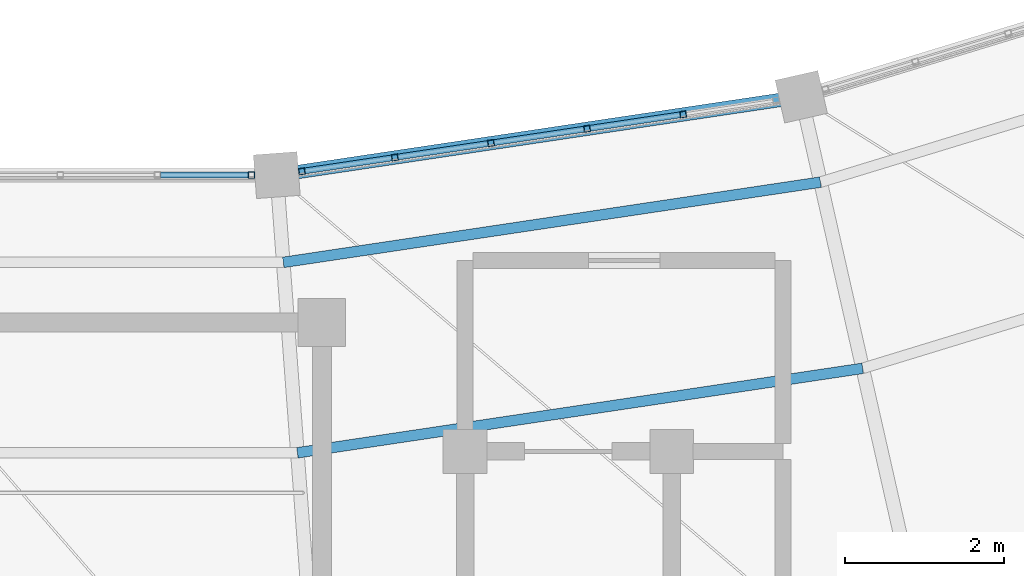
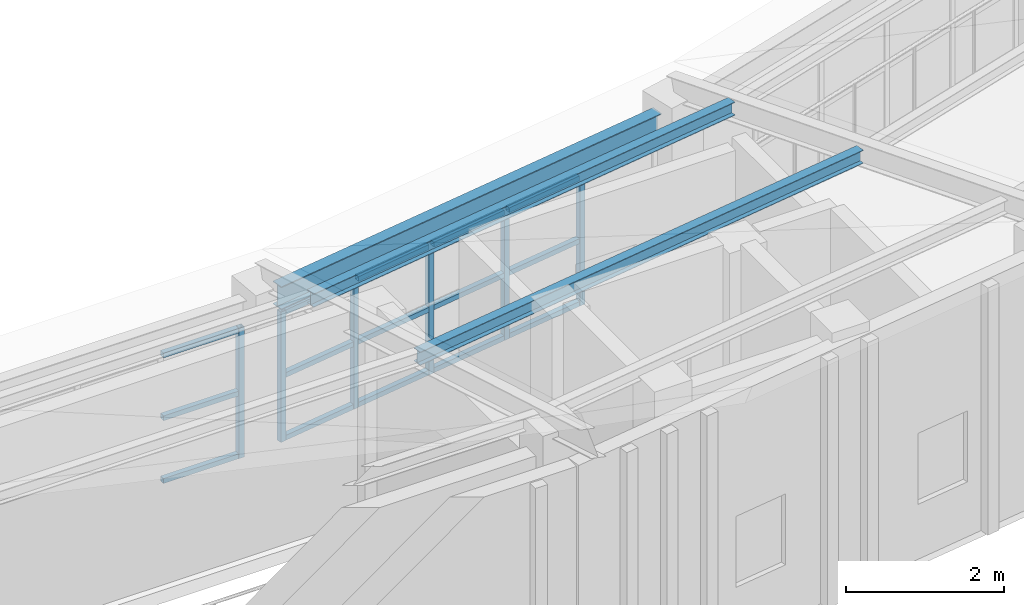
# One storey, part 39 of 149: 23 members, 1 beam, 2 elements without a shape of their own.
"""IFC4 building model written with IfcOpenShell, lengths in metres."""

from ifc_helpers import new_model, si_unit, direction, frame, origin, origin_2d, place, context, subcontext, project, spatial, hollow_rectangle, i_section, extrude, material, material_profile, profile_set, type_object, element, aggregate, save


model = new_model("IFC4")

# Units and contexts
model_context = context("Model", 3, precision=1e-05, world=origin(), true_north=direction((0.0, 1.0)))
body_context = subcontext(model_context, "Body", "Model", "MODEL_VIEW")
ifc_project = project(units=[si_unit("LENGTHUNIT", "METRE"), si_unit("AREAUNIT", "SQUARE_METRE"), si_unit("VOLUMEUNIT", "CUBIC_METRE"), si_unit("PLANEANGLEUNIT", "RADIAN"), si_unit("MASSUNIT", "GRAM", prefix="KILO")], contexts=[model_context])

# Site, building, storey
site_placement = place(None, origin())
site = spatial("IfcSite", under=ifc_project, at=site_placement, CompositionType="ELEMENT")
building_placement = place(site_placement, origin())
building = spatial("IfcBuilding", under=site, at=building_placement, Name="Celadon Cloister-Ring School", CompositionType="ELEMENT")
storey_placement = place(building_placement, frame((0.0, 0.0, 12.5)))
storey = spatial("IfcBuildingStorey", under=building, at=storey_placement, Name="L03", CompositionType="ELEMENT", Elevation=12.5)

# Curtain wall, member
ifc_material_1 = material(Name="Aluminium EN AW-6063 T6", Category="aluminium")
curtain_wall_type = type_object("IfcCurtainWallType", Name="CW-02", PredefinedType="USERDEFINED", material=ifc_material_1)
curtain_wall_1_placement = place(storey_placement, origin())
curtain_wall_1 = element("IfcCurtainWall", 1, at=curtain_wall_1_placement, inside=storey, type_object=curtain_wall_type, Name="Curtain Wall 0061", ObjectType="CURTAIN WALL", PredefinedType="USERDEFINED")
ifc_material_2 = material(Name="Aluminium EN AW-6063 T6", Category="aluminium")
ifc_material_profile_1 = material_profile(ifc_material_2, hollow_rectangle(XDim=0.080078125, YDim=0.080078125, WallThickness=0.00390625, at=origin_2d()), Name="RHS80X80X4")
ifc_profile_set_1 = profile_set([ifc_material_profile_1], Name="Aluminium EN AW-6063 T6")
member_type_1 = type_object("IfcMemberType", Name="CM-03", PredefinedType="MULLION", material=ifc_profile_set_1)
member_1_placement = place(storey_placement, frame((90.013916015625, 14.1240234375, 0.0), z_axis=(0.0, 0.0, 1.0), x_axis=(0.0, 1.0, 0.0)))
member_1 = element("IfcMember", 2, at=member_1_placement, type_object=member_type_1, Name="CW-02 mullion 6", PredefinedType="MULLION", context=body_context, shape_type="SweptSolid", body=[
    extrude(hollow_rectangle(XDim=0.080078125, YDim=0.080078125, WallThickness=0.00390625, at=origin_2d()), origin(), (0.0, 0.0, 1.0), 2.02001953125),
])

# Curtain wall, members
curtain_wall_2_placement = place(storey_placement, origin())
curtain_wall_2 = element("IfcCurtainWall", 3, at=curtain_wall_2_placement, inside=storey, type_object=curtain_wall_type, Name="Curtain Wall 0062", ObjectType="CURTAIN WALL", PredefinedType="USERDEFINED")
member_2_placement = place(storey_placement, frame((90.648681640625, 14.1708984375, 0.0), z_axis=(0.0, 0.0, 1.0), x_axis=(-0.147812141048, 0.989015455369, 0.0)))
member_2 = element("IfcMember", 4, at=member_2_placement, type_object=member_type_1, Name="CW-02 mullion 1", PredefinedType="MULLION", context=body_context, shape_type="SweptSolid", body=[
    extrude(hollow_rectangle(XDim=0.080078125, YDim=0.080078125, WallThickness=0.00390625, at=origin_2d()), origin(), (0.0, 0.0, 1.0), 2.02001953125),
])
member_3_placement = place(storey_placement, frame((91.8173828125, 14.345703125, 0.0), z_axis=(0.0, 0.0, 1.0), x_axis=(-0.147812141048, 0.989015455369, 0.0)))
member_3 = element("IfcMember", 5, at=member_3_placement, type_object=member_type_1, Name="CW-02 mullion 2", PredefinedType="MULLION", context=body_context, shape_type="SweptSolid", body=[
    extrude(hollow_rectangle(XDim=0.080078125, YDim=0.080078125, WallThickness=0.00390625, at=origin_2d()), origin(), (0.0, 0.0, 1.0), 2.02001953125),
])
member_4_placement = place(storey_placement, frame((93.02587890625, 14.526123046875, 0.0), z_axis=(0.0, 0.0, 1.0), x_axis=(-0.147812141048, 0.989015455369, 0.0)))
member_4 = element("IfcMember", 6, at=member_4_placement, type_object=member_type_1, Name="CW-02 mullion 3", PredefinedType="MULLION", context=body_context, shape_type="SweptSolid", body=[
    extrude(hollow_rectangle(XDim=0.080078125, YDim=0.080078125, WallThickness=0.00390625, at=origin_2d()), origin(), (0.0, 0.0, 1.0), 2.02001953125),
])
member_5_placement = place(storey_placement, frame((94.234130859375, 14.706787109375, 0.0), z_axis=(0.0, 0.0, 1.0), x_axis=(-0.147812141048, 0.989015455369, 0.0)))
member_5 = element("IfcMember", 7, at=member_5_placement, type_object=member_type_1, Name="CW-02 mullion 4", PredefinedType="MULLION", context=body_context, shape_type="SweptSolid", body=[
    extrude(hollow_rectangle(XDim=0.080078125, YDim=0.080078125, WallThickness=0.00390625, at=origin_2d()), origin(), (0.0, 0.0, 1.0), 2.02001953125),
])
member_6_placement = place(storey_placement, frame((95.442626953125, 14.887451171875, 0.0), z_axis=(0.0, 0.0, 1.0), x_axis=(-0.147812141048, 0.989015455369, 0.0)))
member_6 = element("IfcMember", 8, at=member_6_placement, type_object=member_type_1, Name="CW-02 mullion 5", PredefinedType="MULLION", context=body_context, shape_type="SweptSolid", body=[
    extrude(hollow_rectangle(XDim=0.080078125, YDim=0.080078125, WallThickness=0.00390625, at=origin_2d()), origin(), (0.0, 0.0, 1.0), 2.02001953125),
])

# Member
ifc_material_3 = material(Name="Aluminium EN AW-6063 T6", Category="aluminium")
ifc_material_profile_2 = material_profile(ifc_material_3, hollow_rectangle(XDim=0.074951171875, YDim=0.074951171875, WallThickness=0.00390625, at=origin_2d()), Name="RHS75X75X4")
ifc_profile_set_2 = profile_set([ifc_material_profile_2], Name="Aluminium EN AW-6063 T6")
member_type_2 = type_object("IfcMemberType", Name="CTM-03", PredefinedType="USERDEFINED", material=ifc_profile_set_2)
member_7_placement = place(storey_placement, frame((88.872314453125, 14.1240234375, 0.03759765625), z_axis=(1.0, 0.0, 0.0), x_axis=(0.0, 1.0, 0.0)))
member_7 = element("IfcMember", 9, at=member_7_placement, type_object=member_type_2, Name="CW-02 transom 5.1", ObjectType="TRANSOM", PredefinedType="USERDEFINED", context=body_context, shape_type="SweptSolid", body=[
    extrude(hollow_rectangle(XDim=0.074951171875, YDim=0.074951171875, WallThickness=0.00390625, at=origin_2d()), origin(), (0.0, 0.0, 1.0), 1.101806640625),
])

member_8_placement = place(storey_placement, frame((88.872314453125, 14.1240234375, 1.010009765625), z_axis=(1.0, 0.0, 0.0), x_axis=(0.0, 1.0, 0.0)))
member_8 = element("IfcMember", 10, at=member_8_placement, type_object=member_type_2, Name="CW-02 transom 5.2", ObjectType="TRANSOM", PredefinedType="USERDEFINED", context=body_context, shape_type="SweptSolid", body=[
    extrude(hollow_rectangle(XDim=0.074951171875, YDim=0.074951171875, WallThickness=0.00390625, at=origin_2d()), origin(), (0.0, 0.0, 1.0), 1.101806640625),
])

member_9_placement = place(storey_placement, frame((88.872314453125, 14.1240234375, 1.982421875), z_axis=(1.0, 0.0, 0.0), x_axis=(0.0, 1.0, 0.0)))
member_9 = element("IfcMember", 11, at=member_9_placement, type_object=member_type_2, Name="CW-02 transom 5.3", ObjectType="TRANSOM", PredefinedType="USERDEFINED", context=body_context, shape_type="SweptSolid", body=[
    extrude(hollow_rectangle(XDim=0.074951171875, YDim=0.074951171875, WallThickness=0.00390625, at=origin_2d()), origin(), (0.0, 0.0, 1.0), 1.101806640625),
])

aggregate(curtain_wall_1, [member_1, member_7, member_8, member_9])

member_10_placement = place(storey_placement, frame((90.688232421875, 14.1767578125, 0.03759765625), z_axis=(0.989015857499, 0.147809450359, 0.0), x_axis=(-0.147809450359, 0.989015857499, 0.0)))
member_10 = element("IfcMember", 12, at=member_10_placement, type_object=member_type_2, Name="CW-02 transom 1.1", ObjectType="TRANSOM", PredefinedType="USERDEFINED", context=body_context, shape_type="SweptSolid", body=[
    extrude(hollow_rectangle(XDim=0.074951171875, YDim=0.074951171875, WallThickness=0.00390625, at=origin_2d()), origin(), (0.0, 0.0, 1.0), 1.101806640625),
])

member_11_placement = place(storey_placement, frame((90.688232421875, 14.1767578125, 1.010009765625), z_axis=(0.989015857499, 0.147809450359, 0.0), x_axis=(-0.147809450359, 0.989015857499, 0.0)))
member_11 = element("IfcMember", 13, at=member_11_placement, type_object=member_type_2, Name="CW-02 transom 1.2", ObjectType="TRANSOM", PredefinedType="USERDEFINED", context=body_context, shape_type="SweptSolid", body=[
    extrude(hollow_rectangle(XDim=0.074951171875, YDim=0.074951171875, WallThickness=0.00390625, at=origin_2d()), origin(), (0.0, 0.0, 1.0), 1.101806640625),
])

member_12_placement = place(storey_placement, frame((90.688232421875, 14.1767578125, 1.982421875), z_axis=(0.989015857499, 0.147809450359, 0.0), x_axis=(-0.147809450359, 0.989015857499, 0.0)))
member_12 = element("IfcMember", 14, at=member_12_placement, type_object=member_type_2, Name="CW-02 transom 1.3", ObjectType="TRANSOM", PredefinedType="USERDEFINED", context=body_context, shape_type="SweptSolid", body=[
    extrude(hollow_rectangle(XDim=0.074951171875, YDim=0.074951171875, WallThickness=0.00390625, at=origin_2d()), origin(), (0.0, 0.0, 1.0), 1.101806640625),
])

member_13_placement = place(storey_placement, frame((91.85693359375, 14.3515625, 0.03759765625), z_axis=(0.989027122375, 0.147734055677, 0.0), x_axis=(-0.147734055677, 0.989027122375, 0.0)))
member_13 = element("IfcMember", 15, at=member_13_placement, type_object=member_type_2, Name="CW-02 transom 2.1", ObjectType="TRANSOM", PredefinedType="USERDEFINED", context=body_context, shape_type="SweptSolid", body=[
    extrude(hollow_rectangle(XDim=0.074951171875, YDim=0.074951171875, WallThickness=0.00390625, at=origin_2d()), origin(), (0.0, 0.0, 1.0), 1.141845703125),
])

member_14_placement = place(storey_placement, frame((91.85693359375, 14.3515625, 1.010009765625), z_axis=(0.989027122375, 0.147734055677, 0.0), x_axis=(-0.147734055677, 0.989027122375, 0.0)))
member_14 = element("IfcMember", 16, at=member_14_placement, type_object=member_type_2, Name="CW-02 transom 2.2", ObjectType="TRANSOM", PredefinedType="USERDEFINED", context=body_context, shape_type="SweptSolid", body=[
    extrude(hollow_rectangle(XDim=0.074951171875, YDim=0.074951171875, WallThickness=0.00390625, at=origin_2d()), origin(), (0.0, 0.0, 1.0), 1.141845703125),
])

member_15_placement = place(storey_placement, frame((91.85693359375, 14.3515625, 1.982421875), z_axis=(0.989027122375, 0.147734055677, 0.0), x_axis=(-0.147734055677, 0.989027122375, 0.0)))
member_15 = element("IfcMember", 17, at=member_15_placement, type_object=member_type_2, Name="CW-02 transom 2.3", ObjectType="TRANSOM", PredefinedType="USERDEFINED", context=body_context, shape_type="SweptSolid", body=[
    extrude(hollow_rectangle(XDim=0.074951171875, YDim=0.074951171875, WallThickness=0.00390625, at=origin_2d()), origin(), (0.0, 0.0, 1.0), 1.141845703125),
])

member_16_placement = place(storey_placement, frame((93.0654296875, 14.5322265625, 0.03759765625), z_axis=(0.98902245469, 0.147765300798, 0.0), x_axis=(-0.147765300798, 0.98902245469, 0.0)))
member_16 = element("IfcMember", 18, at=member_16_placement, type_object=member_type_2, Name="CW-02 transom 3.1", ObjectType="TRANSOM", PredefinedType="USERDEFINED", context=body_context, shape_type="SweptSolid", body=[
    extrude(hollow_rectangle(XDim=0.074951171875, YDim=0.074951171875, WallThickness=0.00390625, at=origin_2d()), origin(), (0.0, 0.0, 1.0), 1.1416015625),
])

member_17_placement = place(storey_placement, frame((93.0654296875, 14.5322265625, 1.010009765625), z_axis=(0.98902245469, 0.147765300798, 0.0), x_axis=(-0.147765300798, 0.98902245469, 0.0)))
member_17 = element("IfcMember", 19, at=member_17_placement, type_object=member_type_2, Name="CW-02 transom 3.2", ObjectType="TRANSOM", PredefinedType="USERDEFINED", context=body_context, shape_type="SweptSolid", body=[
    extrude(hollow_rectangle(XDim=0.074951171875, YDim=0.074951171875, WallThickness=0.00390625, at=origin_2d()), origin(), (0.0, 0.0, 1.0), 1.1416015625),
])

member_18_placement = place(storey_placement, frame((93.0654296875, 14.5322265625, 1.982421875), z_axis=(0.98902245469, 0.147765300798, 0.0), x_axis=(-0.147765300798, 0.98902245469, 0.0)))
member_18 = element("IfcMember", 20, at=member_18_placement, type_object=member_type_2, Name="CW-02 transom 3.3", ObjectType="TRANSOM", PredefinedType="USERDEFINED", context=body_context, shape_type="SweptSolid", body=[
    extrude(hollow_rectangle(XDim=0.074951171875, YDim=0.074951171875, WallThickness=0.00390625, at=origin_2d()), origin(), (0.0, 0.0, 1.0), 1.1416015625),
])

member_19_placement = place(storey_placement, frame((94.273681640625, 14.712646484375, 0.03759765625), z_axis=(0.988995862665, 0.147943177035, 0.0), x_axis=(-0.147943177035, 0.988995862665, 0.0)))
member_19 = element("IfcMember", 21, at=member_19_placement, type_object=member_type_2, Name="CW-02 transom 4.1", ObjectType="TRANSOM", PredefinedType="USERDEFINED", context=body_context, shape_type="SweptSolid", body=[
    extrude(hollow_rectangle(XDim=0.074951171875, YDim=0.074951171875, WallThickness=0.00390625, at=origin_2d()), origin(), (0.0, 0.0, 1.0), 1.141845703125),
])

member_20_placement = place(storey_placement, frame((94.273681640625, 14.712646484375, 1.010009765625), z_axis=(0.988995862665, 0.147943177035, 0.0), x_axis=(-0.147943177035, 0.988995862665, 0.0)))
member_20 = element("IfcMember", 22, at=member_20_placement, type_object=member_type_2, Name="CW-02 transom 4.2", ObjectType="TRANSOM", PredefinedType="USERDEFINED", context=body_context, shape_type="SweptSolid", body=[
    extrude(hollow_rectangle(XDim=0.074951171875, YDim=0.074951171875, WallThickness=0.00390625, at=origin_2d()), origin(), (0.0, 0.0, 1.0), 1.141845703125),
])

member_21_placement = place(storey_placement, frame((94.273681640625, 14.712646484375, 1.982421875), z_axis=(0.988995862665, 0.147943177035, 0.0), x_axis=(-0.147943177035, 0.988995862665, 0.0)))
member_21 = element("IfcMember", 23, at=member_21_placement, type_object=member_type_2, Name="CW-02 transom 4.3", ObjectType="TRANSOM", PredefinedType="USERDEFINED", context=body_context, shape_type="SweptSolid", body=[
    extrude(hollow_rectangle(XDim=0.074951171875, YDim=0.074951171875, WallThickness=0.00390625, at=origin_2d()), origin(), (0.0, 0.0, 1.0), 1.141845703125),
])

aggregate(curtain_wall_2, [member_2, member_3, member_4, member_5, member_6, member_10, member_11, member_12, member_13, member_14, member_15, member_16, member_17, member_18, member_19, member_20, member_21])

# Beam
ifc_material_4 = material(Name="Structural steel S355JR", Category="steel")
ifc_material_profile_3 = material_profile(ifc_material_4, i_section(OverallWidth=0.1708984375, OverallDepth=0.35498046875, WebThickness=0.007080078125, FlangeThickness=0.01171875, at=origin_2d()), Name="W360X51")
ifc_profile_set_3 = profile_set([ifc_material_profile_3], Name="Structural steel S355JR")
beam_type = type_object("IfcBeamType", Name="GT-08", PredefinedType="USERDEFINED", material=ifc_profile_set_3)
beam_placement = place(storey_placement, frame((90.580078125, 14.160888671875, 2.27197265625), z_axis=(0.989027626238, 0.147730682454, 0.0), x_axis=(-0.147730682454, 0.989027626238, 0.0)))
element("IfcBeam", 24, at=beam_placement, inside=storey, type_object=beam_type, Name="Beam 0558", ObjectType="GIRDER", PredefinedType="USERDEFINED", context=body_context, shape_type="SweptSolid", body=[
    extrude(i_section(OverallWidth=0.1708984375, OverallDepth=0.35498046875, WebThickness=0.007080078125, FlangeThickness=0.01171875, at=origin_2d()), origin(), (0.0, 0.0, 1.0), 6.16748046875),
])

# Members
ifc_material_5 = material(Name="Structural steel S355JR", Category="steel")
ifc_material_profile_4 = material_profile(ifc_material_5, i_section(OverallWidth=0.133056640625, OverallDepth=0.20703125, WebThickness=0.005859375, FlangeThickness=0.00830078125, at=origin_2d()), Name="W200X27")
ifc_profile_set_4 = profile_set([ifc_material_profile_4], Name="Structural steel S355JR")
member_type_3 = type_object("IfcMemberType", Name="MP-04", PredefinedType="PURLIN", material=ifc_profile_set_4)
member_22_placement = place(storey_placement, frame((90.4150390625, 13.027099609375, 2.970947265625), z_axis=(0.989028468359, 0.147725044508, 0.0), x_axis=(-0.147725044508, 0.989028468359, 0.0)))
element("IfcMember", 25, at=member_22_placement, inside=storey, type_object=member_type_3, Name="Structural Member 0169", PredefinedType="PURLIN", context=body_context, shape_type="SweptSolid", body=[
    extrude(i_section(OverallWidth=0.133056640625, OverallDepth=0.20703125, WebThickness=0.005859375, FlangeThickness=0.00830078125, at=origin_2d()), origin(), (0.0, 0.0, 1.0), 6.828857421875),
])
member_23_placement = place(storey_placement, frame((90.593017578125, 10.633056640625, 3.4599609375), z_axis=(0.989015470168, 0.147812042027, 0.0), x_axis=(-0.147812042027, 0.989015470168, 0.0)))
element("IfcMember", 26, at=member_23_placement, inside=storey, type_object=member_type_3, Name="Structural Member 0170", PredefinedType="PURLIN", context=body_context, shape_type="SweptSolid", body=[
    extrude(i_section(OverallWidth=0.133056640625, OverallDepth=0.20703125, WebThickness=0.005859375, FlangeThickness=0.00830078125, at=origin_2d()), origin(), (0.0, 0.0, 1.0), 7.184814453125),
])

save(model, "model.ifc")
